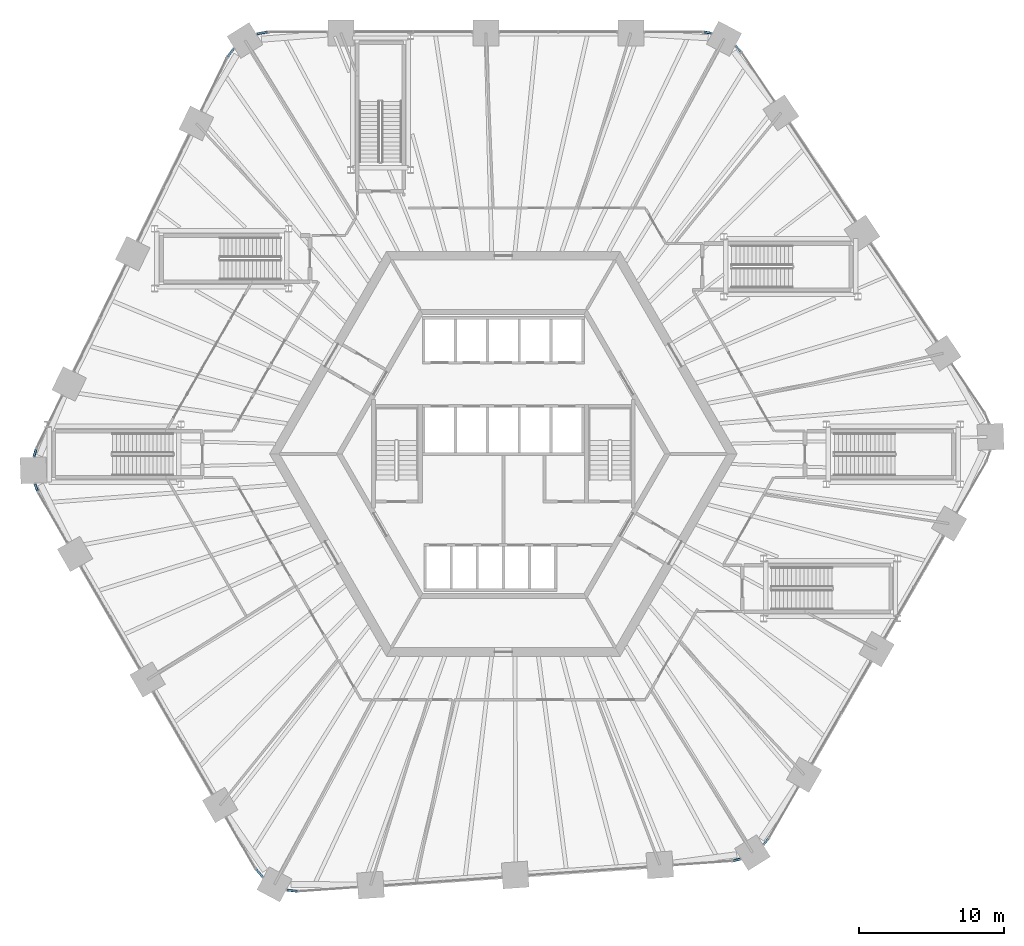
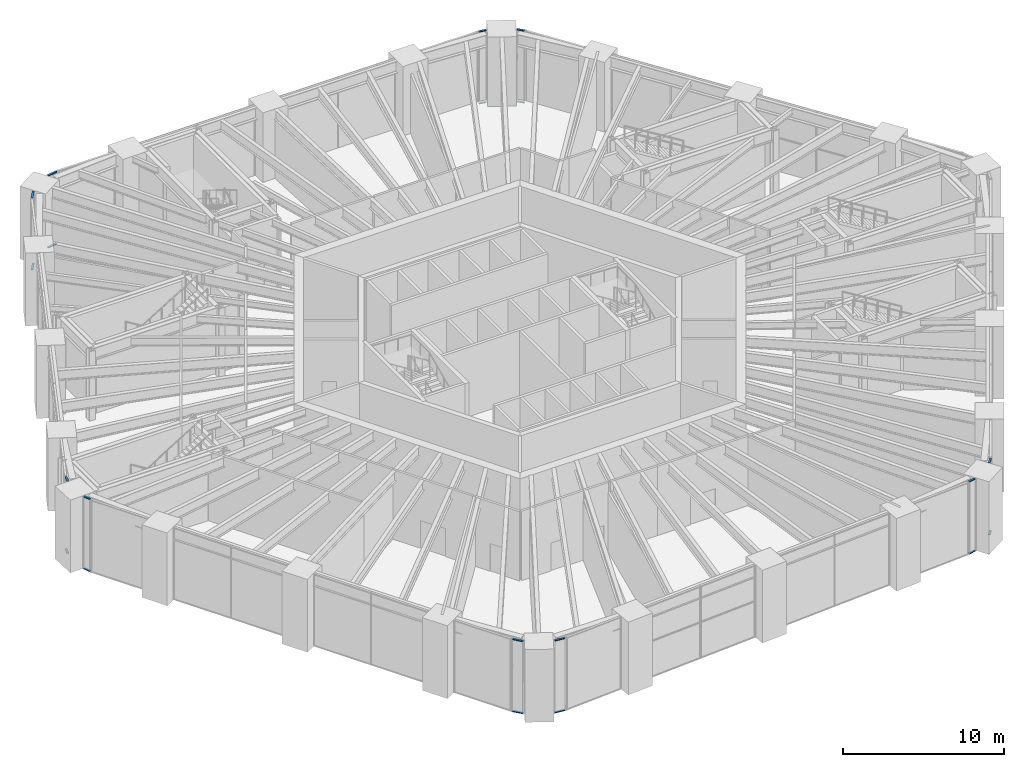
# One storey, part 12 of 30: 20 members, 10 elements without a shape of their own.
"""IFC4 building model written with IfcOpenShell, lengths in metres."""

from ifc_helpers import new_model, si_unit, direction, frame, origin, origin_2d, place, context, subcontext, project, spatial, rectangle, extrude, material, material_profile, profile_set, type_object, element, aggregate, save


model = new_model("IFC4")

# Units and contexts
model_context = context("Model", 3, precision=1e-05, world=origin(), true_north=direction((0.0, 1.0)))
body_context = subcontext(model_context, "Body", "Model", "MODEL_VIEW")
ifc_project = project(units=[si_unit("LENGTHUNIT", "METRE"), si_unit("AREAUNIT", "SQUARE_METRE"), si_unit("VOLUMEUNIT", "CUBIC_METRE"), si_unit("PLANEANGLEUNIT", "RADIAN"), si_unit("MASSUNIT", "GRAM", prefix="KILO")], contexts=[model_context])

# Site, building, storey
site_placement = place(None, origin())
site = spatial("IfcSite", under=ifc_project, at=site_placement, CompositionType="ELEMENT")
building_placement = place(site_placement, origin())
building = spatial("IfcBuilding", under=site, at=building_placement, Name="Tarnside Tower", CompositionType="ELEMENT")
storey_placement = place(building_placement, frame((0.0, 0.0, 15.0)))
storey = spatial("IfcBuildingStorey", under=building, at=storey_placement, Name="L02", CompositionType="ELEMENT", Elevation=15.0)

# Curtain wall, members
ifc_material_1 = material(Name="Retail shopfront glazing wall", Category="glass")
curtain_wall_type = type_object("IfcCurtainWallType", Name="Retail shopfront glazing wall", PredefinedType="NOTDEFINED", material=ifc_material_1)
curtain_wall_1_placement = place(storey_placement, origin())
curtain_wall_1 = element("IfcCurtainWall", 1, at=curtain_wall_1_placement, inside=storey, type_object=curtain_wall_type, Name="Retail shopfront glazing L02 02.1", PredefinedType="NOTDEFINED")
ifc_material_2 = material(Name="Aluminium alloy 6063", Category="aluminium")
ifc_material_profile = material_profile(ifc_material_2, rectangle(XDim=0.139892578125, YDim=0.06005859375, at=origin_2d()), Name="Retail shopfront glazing transom 60 x 140")
ifc_profile_set = profile_set([ifc_material_profile], Name="Aluminium alloy 6063")
member_type = type_object("IfcMemberType", Name="Retail shopfront glazing transom 60 x 140", PredefinedType="USERDEFINED", material=ifc_profile_set)
member_1_placement = place(storey_placement, frame((-16.3203125, 29.16748046875, -0.219970703125), z_axis=(-0.982702316211, -0.185192218287, 0.0), x_axis=(0.185192218287, -0.982702316211, 0.0)))
member_1 = element("IfcMember", 2, at=member_1_placement, type_object=member_type, Name="CW2 transom 1.1", ObjectType="TRANSOM", PredefinedType="USERDEFINED", context=body_context, shape_type="SweptSolid", body=[
    extrude(rectangle(XDim=0.139892578125, YDim=0.06005859375, at=origin_2d()), origin(), (0.0, 0.0, 1.0), 0.701416015625),
])
member_2_placement = place(storey_placement, frame((-16.3203125, 29.16748046875, 5.219970703125), z_axis=(-0.982702316211, -0.185192218287, 0.0), x_axis=(0.185192218287, -0.982702316211, 0.0)))
member_2 = element("IfcMember", 3, at=member_2_placement, type_object=member_type, Name="CW2 transom 1.2", ObjectType="TRANSOM", PredefinedType="USERDEFINED", context=body_context, shape_type="SweptSolid", body=[
    extrude(rectangle(XDim=0.139892578125, YDim=0.06005859375, at=origin_2d()), origin(), (0.0, 0.0, 1.0), 0.701416015625),
])
aggregate(curtain_wall_1, [member_1, member_2])

curtain_wall_2_placement = place(storey_placement, origin())
curtain_wall_2 = element("IfcCurtainWall", 4, at=curtain_wall_2_placement, inside=storey, type_object=curtain_wall_type, Name="Retail shopfront glazing L02 03.0", PredefinedType="NOTDEFINED")
member_3_placement = place(storey_placement, frame((-18.642333984375, 28.017333984375, -0.219970703125), z_axis=(-0.59732331485, -0.802000534624, 0.0), x_axis=(0.802000534624, -0.59732331485, 0.0)))
member_3 = element("IfcMember", 5, at=member_3_placement, type_object=member_type, Name="CW2 transom 1.1", ObjectType="TRANSOM", PredefinedType="USERDEFINED", context=body_context, shape_type="SweptSolid", body=[
    extrude(rectangle(XDim=0.139892578125, YDim=0.06005859375, at=origin_2d()), origin(), (0.0, 0.0, 1.0), 0.701416015625),
])
member_4_placement = place(storey_placement, frame((-18.642333984375, 28.017333984375, 5.219970703125), z_axis=(-0.59732331485, -0.802000534624, 0.0), x_axis=(0.802000534624, -0.59732331485, 0.0)))
member_4 = element("IfcMember", 6, at=member_4_placement, type_object=member_type, Name="CW2 transom 1.2", ObjectType="TRANSOM", PredefinedType="USERDEFINED", context=body_context, shape_type="SweptSolid", body=[
    extrude(rectangle(XDim=0.139892578125, YDim=0.06005859375, at=origin_2d()), origin(), (0.0, 0.0, 1.0), 0.701416015625),
])
aggregate(curtain_wall_2, [member_3, member_4])

curtain_wall_3_placement = place(storey_placement, origin())
curtain_wall_3 = element("IfcCurtainWall", 7, at=curtain_wall_3_placement, inside=storey, type_object=curtain_wall_type, Name="Retail shopfront glazing L02 06.1", PredefinedType="NOTDEFINED")
member_5_placement = place(storey_placement, frame((-32.30908203125, 0.296630859375, -0.219970703125), z_axis=(-0.28665935523, -0.958032574634, 0.0), x_axis=(0.958032574634, -0.28665935523, 0.0)))
member_5 = element("IfcMember", 8, at=member_5_placement, type_object=member_type, Name="CW2 transom 1.1", ObjectType="TRANSOM", PredefinedType="USERDEFINED", context=body_context, shape_type="SweptSolid", body=[
    extrude(rectangle(XDim=0.139892578125, YDim=0.06005859375, at=origin_2d()), origin(), (0.0, 0.0, 1.0), 0.488037109375),
])
member_6_placement = place(storey_placement, frame((-32.30908203125, 0.296630859375, 5.219970703125), z_axis=(-0.28665935523, -0.958032574634, 0.0), x_axis=(0.958032574634, -0.28665935523, 0.0)))
member_6 = element("IfcMember", 9, at=member_6_placement, type_object=member_type, Name="CW2 transom 1.2", ObjectType="TRANSOM", PredefinedType="USERDEFINED", context=body_context, shape_type="SweptSolid", body=[
    extrude(rectangle(XDim=0.139892578125, YDim=0.06005859375, at=origin_2d()), origin(), (0.0, 0.0, 1.0), 0.488037109375),
])
aggregate(curtain_wall_3, [member_5, member_6])

curtain_wall_4_placement = place(storey_placement, origin())
curtain_wall_4 = element("IfcCurtainWall", 10, at=curtain_wall_4_placement, inside=storey, type_object=curtain_wall_type, Name="Retail shopfront glazing L02 07.0", PredefinedType="NOTDEFINED")
member_7_placement = place(storey_placement, frame((-32.3818359375, -2.093017578125, -0.219970703125), z_axis=(0.353040734425, -0.935607951995, 0.0), x_axis=(0.935607951995, 0.353040734425, 0.0)))
member_7 = element("IfcMember", 11, at=member_7_placement, type_object=member_type, Name="CW2 transom 1.1", ObjectType="TRANSOM", PredefinedType="USERDEFINED", context=body_context, shape_type="SweptSolid", body=[
    extrude(rectangle(XDim=0.139892578125, YDim=0.06005859375, at=origin_2d()), origin(), (0.0, 0.0, 1.0), 0.48828125),
])
member_8_placement = place(storey_placement, frame((-32.3818359375, -2.093017578125, 5.219970703125), z_axis=(0.353040734425, -0.935607951995, 0.0), x_axis=(0.935607951995, 0.353040734425, 0.0)))
member_8 = element("IfcMember", 12, at=member_8_placement, type_object=member_type, Name="CW2 transom 1.2", ObjectType="TRANSOM", PredefinedType="USERDEFINED", context=body_context, shape_type="SweptSolid", body=[
    extrude(rectangle(XDim=0.139892578125, YDim=0.06005859375, at=origin_2d()), origin(), (0.0, 0.0, 1.0), 0.48828125),
])
aggregate(curtain_wall_4, [member_7, member_8])

curtain_wall_5_placement = place(storey_placement, origin())
curtain_wall_5 = element("IfcCurtainWall", 13, at=curtain_wall_5_placement, inside=storey, type_object=curtain_wall_type, Name="Retail shopfront glazing L02 10.1", PredefinedType="NOTDEFINED")
member_9_placement = place(storey_placement, frame((-17.099609375, -28.717529296875, -0.219970703125), z_axis=(0.651650977988, -0.758518953545, 0.0), x_axis=(0.758518953545, 0.651650977988, 0.0)))
member_9 = element("IfcMember", 14, at=member_9_placement, type_object=member_type, Name="CW2 transom 1.1", ObjectType="TRANSOM", PredefinedType="USERDEFINED", context=body_context, shape_type="SweptSolid", body=[
    extrude(rectangle(XDim=0.139892578125, YDim=0.06005859375, at=origin_2d()), origin(), (0.0, 0.0, 1.0), 0.701416015625),
])
member_10_placement = place(storey_placement, frame((-17.099609375, -28.717529296875, 5.219970703125), z_axis=(0.651650977988, -0.758518953545, 0.0), x_axis=(0.758518953545, 0.651650977988, 0.0)))
member_10 = element("IfcMember", 15, at=member_10_placement, type_object=member_type, Name="CW2 transom 1.2", ObjectType="TRANSOM", PredefinedType="USERDEFINED", context=body_context, shape_type="SweptSolid", body=[
    extrude(rectangle(XDim=0.139892578125, YDim=0.06005859375, at=origin_2d()), origin(), (0.0, 0.0, 1.0), 0.701416015625),
])
aggregate(curtain_wall_5, [member_9, member_10])

curtain_wall_6_placement = place(storey_placement, origin())
curtain_wall_6 = element("IfcCurtainWall", 16, at=curtain_wall_6_placement, inside=storey, type_object=curtain_wall_type, Name="Retail shopfront glazing L02 11.0", PredefinedType="NOTDEFINED")
member_11_placement = place(storey_placement, frame((-14.942626953125, -30.153564453125, -0.219970703125), z_axis=(0.99325712703, -0.115932219874, 0.0), x_axis=(0.115932219874, 0.99325712703, 0.0)))
member_11 = element("IfcMember", 17, at=member_11_placement, type_object=member_type, Name="CW2 transom 1.1", ObjectType="TRANSOM", PredefinedType="USERDEFINED", context=body_context, shape_type="SweptSolid", body=[
    extrude(rectangle(XDim=0.139892578125, YDim=0.06005859375, at=origin_2d()), origin(), (0.0, 0.0, 1.0), 0.701171875),
])
member_12_placement = place(storey_placement, frame((-14.942626953125, -30.153564453125, 5.219970703125), z_axis=(0.99325712703, -0.115932219874, 0.0), x_axis=(0.115932219874, 0.99325712703, 0.0)))
member_12 = element("IfcMember", 18, at=member_12_placement, type_object=member_type, Name="CW2 transom 1.2", ObjectType="TRANSOM", PredefinedType="USERDEFINED", context=body_context, shape_type="SweptSolid", body=[
    extrude(rectangle(XDim=0.139892578125, YDim=0.06005859375, at=origin_2d()), origin(), (0.0, 0.0, 1.0), 0.701171875),
])
aggregate(curtain_wall_6, [member_11, member_12])

curtain_wall_7_placement = place(storey_placement, origin())
curtain_wall_7 = element("IfcCurtainWall", 19, at=curtain_wall_7_placement, inside=storey, type_object=curtain_wall_type, Name="Retail shopfront glazing L02 14.1", PredefinedType="NOTDEFINED")
member_13_placement = place(storey_placement, frame((15.8974609375, -28.128662109375, -0.219970703125), z_axis=(0.973068482104, 0.23051622315, 0.0), x_axis=(-0.23051622315, 0.973068482104, 0.0)))
member_13 = element("IfcMember", 20, at=member_13_placement, type_object=member_type, Name="CW2 transom 1.1", ObjectType="TRANSOM", PredefinedType="USERDEFINED", context=body_context, shape_type="SweptSolid", body=[
    extrude(rectangle(XDim=0.139892578125, YDim=0.06005859375, at=origin_2d()), origin(), (0.0, 0.0, 1.0), 0.48828125),
])
member_14_placement = place(storey_placement, frame((15.8974609375, -28.128662109375, 5.219970703125), z_axis=(0.973068482104, 0.23051622315, 0.0), x_axis=(-0.23051622315, 0.973068482104, 0.0)))
member_14 = element("IfcMember", 21, at=member_14_placement, type_object=member_type, Name="CW2 transom 1.2", ObjectType="TRANSOM", PredefinedType="USERDEFINED", context=body_context, shape_type="SweptSolid", body=[
    extrude(rectangle(XDim=0.139892578125, YDim=0.06005859375, at=origin_2d()), origin(), (0.0, 0.0, 1.0), 0.48828125),
])
aggregate(curtain_wall_7, [member_13, member_14])

curtain_wall_8_placement = place(storey_placement, origin())
curtain_wall_8 = element("IfcCurtainWall", 22, at=curtain_wall_8_placement, inside=storey, type_object=curtain_wall_type, Name="Retail shopfront glazing L02 15.0", PredefinedType="NOTDEFINED")
member_15_placement = place(storey_placement, frame((18.00341796875, -26.9970703125, -0.219970703125), z_axis=(0.633918150603, 0.773400141153, 0.0), x_axis=(-0.773400141153, 0.633918150603, 0.0)))
member_15 = element("IfcMember", 23, at=member_15_placement, type_object=member_type, Name="CW2 transom 1.1", ObjectType="TRANSOM", PredefinedType="USERDEFINED", context=body_context, shape_type="SweptSolid", body=[
    extrude(rectangle(XDim=0.139892578125, YDim=0.06005859375, at=origin_2d()), origin(), (0.0, 0.0, 1.0), 0.48828125),
])
member_16_placement = place(storey_placement, frame((18.00341796875, -26.9970703125, 5.219970703125), z_axis=(0.633918150603, 0.773400141153, 0.0), x_axis=(-0.773400141153, 0.633918150603, 0.0)))
member_16 = element("IfcMember", 24, at=member_16_placement, type_object=member_type, Name="CW2 transom 1.2", ObjectType="TRANSOM", PredefinedType="USERDEFINED", context=body_context, shape_type="SweptSolid", body=[
    extrude(rectangle(XDim=0.139892578125, YDim=0.06005859375, at=origin_2d()), origin(), (0.0, 0.0, 1.0), 0.48828125),
])
aggregate(curtain_wall_8, [member_15, member_16])

curtain_wall_9_placement = place(storey_placement, origin())
curtain_wall_9 = element("IfcCurtainWall", 25, at=curtain_wall_9_placement, inside=storey, type_object=curtain_wall_type, Name="Retail shopfront glazing L02 22.1", PredefinedType="NOTDEFINED")
member_17_placement = place(storey_placement, frame((16.411376953125, 27.83203125, -0.219970703125), z_axis=(-0.686050683866, 0.727553750019, 0.0), x_axis=(-0.727553750019, -0.686050683866, 0.0)))
member_17 = element("IfcMember", 26, at=member_17_placement, type_object=member_type, Name="CW2 transom 1.1", ObjectType="TRANSOM", PredefinedType="USERDEFINED", context=body_context, shape_type="SweptSolid", body=[
    extrude(rectangle(XDim=0.139892578125, YDim=0.06005859375, at=origin_2d()), origin(), (0.0, 0.0, 1.0), 0.48828125),
])
member_18_placement = place(storey_placement, frame((16.411376953125, 27.83203125, 5.219970703125), z_axis=(-0.686050683866, 0.727553750019, 0.0), x_axis=(-0.727553750019, -0.686050683866, 0.0)))
member_18 = element("IfcMember", 27, at=member_18_placement, type_object=member_type, Name="CW2 transom 1.2", ObjectType="TRANSOM", PredefinedType="USERDEFINED", context=body_context, shape_type="SweptSolid", body=[
    extrude(rectangle(XDim=0.139892578125, YDim=0.06005859375, at=origin_2d()), origin(), (0.0, 0.0, 1.0), 0.48828125),
])
aggregate(curtain_wall_9, [member_17, member_18])

curtain_wall_10_placement = place(storey_placement, origin())
curtain_wall_10 = element("IfcCurtainWall", 28, at=curtain_wall_10_placement, inside=storey, type_object=curtain_wall_type, Name="Retail shopfront glazing L02 23.0", PredefinedType="NOTDEFINED")
member_19_placement = place(storey_placement, frame((14.37841796875, 29.090087890625, -0.219970703125), z_axis=(-0.986783124025, 0.162046493758, 0.0), x_axis=(-0.162046493758, -0.986783124025, 0.0)))
member_19 = element("IfcMember", 29, at=member_19_placement, type_object=member_type, Name="CW2 transom 1.1", ObjectType="TRANSOM", PredefinedType="USERDEFINED", context=body_context, shape_type="SweptSolid", body=[
    extrude(rectangle(XDim=0.139892578125, YDim=0.06005859375, at=origin_2d()), origin(), (0.0, 0.0, 1.0), 0.488037109375),
])
member_20_placement = place(storey_placement, frame((14.37841796875, 29.090087890625, 5.219970703125), z_axis=(-0.986783124025, 0.162046493758, 0.0), x_axis=(-0.162046493758, -0.986783124025, 0.0)))
member_20 = element("IfcMember", 30, at=member_20_placement, type_object=member_type, Name="CW2 transom 1.2", ObjectType="TRANSOM", PredefinedType="USERDEFINED", context=body_context, shape_type="SweptSolid", body=[
    extrude(rectangle(XDim=0.139892578125, YDim=0.06005859375, at=origin_2d()), origin(), (0.0, 0.0, 1.0), 0.488037109375),
])
aggregate(curtain_wall_10, [member_19, member_20])

save(model, "model.ifc")
